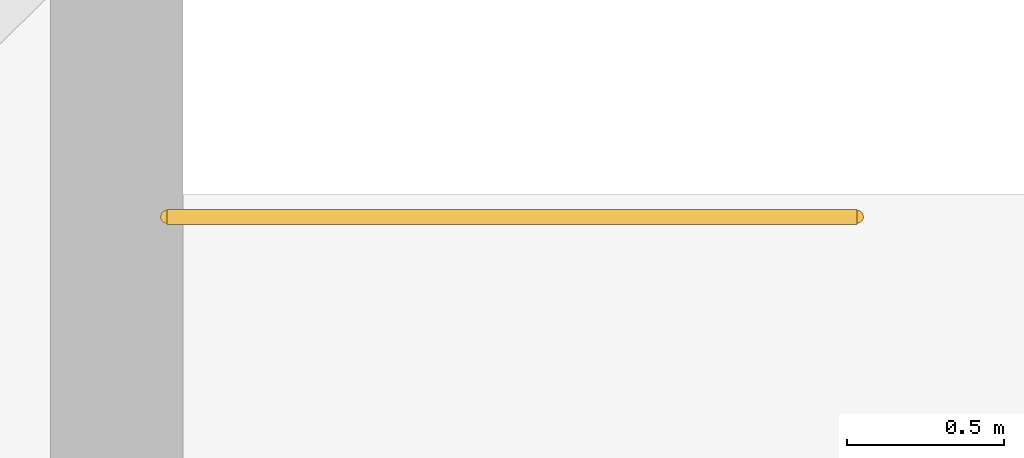
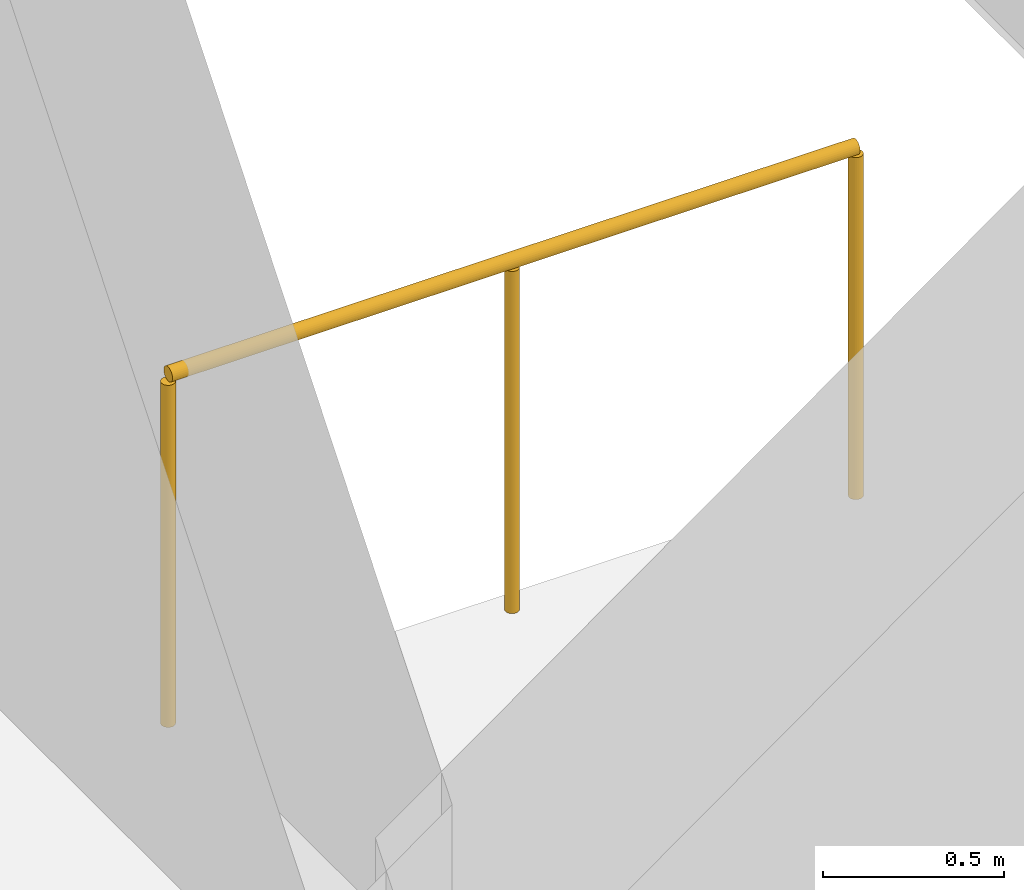
# One storey, part 118 of 123: 1 railing.
"""IFC4 building model written with IfcOpenShell, lengths in metres."""

from ifc_helpers import new_model, si_unit, direction, frame, origin, origin_2d, place, context, subcontext, project, spatial, circle, extrude, material, type_object, element, save


model = new_model("IFC4")

# Units and contexts
model_context = context("Model", 3, precision=1e-05, world=origin(), true_north=direction((0.0, 1.0)))
body_context = subcontext(model_context, "Body", "Model", "MODEL_VIEW")
ifc_project = project(units=[si_unit("LENGTHUNIT", "METRE"), si_unit("AREAUNIT", "SQUARE_METRE"), si_unit("VOLUMEUNIT", "CUBIC_METRE"), si_unit("PLANEANGLEUNIT", "RADIAN"), si_unit("MASSUNIT", "GRAM", prefix="KILO")], contexts=[model_context])

# Site, building, storey
site_placement = place(None, origin())
site = spatial("IfcSite", under=ifc_project, at=site_placement, CompositionType="ELEMENT")
building_placement = place(site_placement, origin())
building = spatial("IfcBuilding", under=site, at=building_placement, Name="Kildeholm Park Wholesale Market", CompositionType="ELEMENT")
storey_placement = place(building_placement, frame((0.0, 0.0, 9.60009765625)))
storey = spatial("IfcBuildingStorey", under=building, at=storey_placement, Name="L02", CompositionType="ELEMENT", Elevation=9.60009765625)

# Railing
ifc_material = material(Name="Painted steel and laminated glass balustrade", Category="steel")
railing_type = type_object("IfcRailingType", Name="Interior gallery and stairwell guard GR-IN1 1200 mm", PredefinedType="GUARDRAIL", material=ifc_material)
railing_placement = place(storey_placement, frame((68.159912109375, 110.429931640625, 0.0)))
element("IfcRailing", 1, at=railing_placement, inside=storey, type_object=railing_type, Name="Stair C11 upper floor well guard L02 RLG-0127", PredefinedType="GUARDRAIL", context=body_context, shape_type="SweptSolid", body=[
    extrude(circle(Radius=0.02392578125, at=origin_2d()), frame((0.0, 0.0, 1.17578125), z_axis=(1.0, 0.0, 0.0), x_axis=(0.0, 1.0, 0.0)), (0.0, 0.0, 1.0), 2.190185546875),
    extrude(circle(Radius=0.02099609375, at=origin_2d()), origin(), (0.0, 0.0, 1.0), 1.15185546875),
    extrude(circle(Radius=0.02099609375, at=origin_2d()), frame((1.09521484375, 0.0, 0.0)), (0.0, 0.0, 1.0), 1.15185546875),
    extrude(circle(Radius=0.02099609375, at=origin_2d()), frame((2.190185546875, 0.0, 0.0)), (0.0, 0.0, 1.0), 1.15185546875),
])

save(model, "model.ifc")
